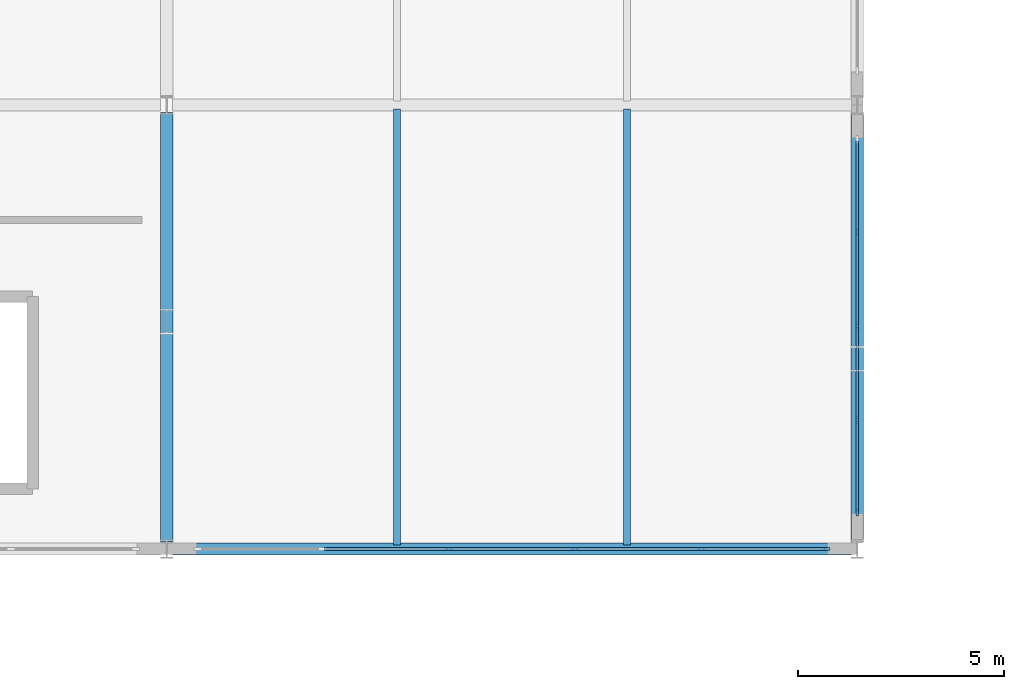
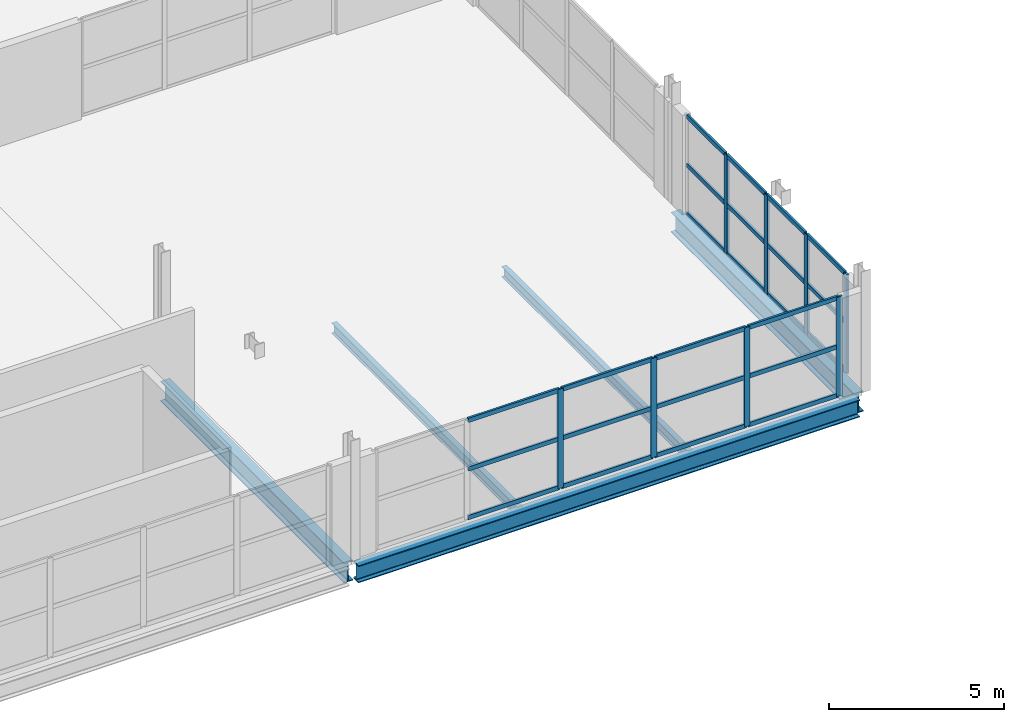
# One storey, part 9 of 39: 32 members, 5 beams, 2 elements without a shape of their own.
"""IFC4 building model written with IfcOpenShell, lengths in metres."""

from ifc_helpers import new_model, si_unit, direction, frame, origin, origin_2d, place, context, subcontext, project, spatial, rectangle, i_section, extrude, material, material_profile, profile_set, type_object, element, aggregate, save


model = new_model("IFC4")

# Units and contexts
model_context = context("Model", 3, precision=1e-05, world=origin(), true_north=direction((0.0, 1.0)))
body_context = subcontext(model_context, "Body", "Model", "MODEL_VIEW")
ifc_project = project(units=[si_unit("LENGTHUNIT", "METRE"), si_unit("AREAUNIT", "SQUARE_METRE"), si_unit("VOLUMEUNIT", "CUBIC_METRE"), si_unit("PLANEANGLEUNIT", "RADIAN"), si_unit("MASSUNIT", "GRAM", prefix="KILO")], contexts=[model_context])

# Site, building, storey
site_placement = place(None, origin())
site = spatial("IfcSite", under=ifc_project, at=site_placement, CompositionType="ELEMENT")
building_placement = place(site_placement, origin())
building = spatial("IfcBuilding", under=site, at=building_placement, Name="Kimbaza Rail Terminus", CompositionType="ELEMENT")
storey_placement = place(building_placement, frame((0.0, 0.0, 16.800048828125)))
storey = spatial("IfcBuildingStorey", under=building, at=storey_placement, Name="L03", CompositionType="ELEMENT", Elevation=16.800048828125)

# Curtain wall, members
ifc_material_1 = material(Name="Anodised aluminium framing and solar low-E glazing", Category="aluminium")
curtain_wall_type = type_object("IfcCurtainWallType", Name="ARC-CW-BRG", PredefinedType="USERDEFINED", material=ifc_material_1)
curtain_wall_1_placement = place(storey_placement, origin())
curtain_wall_1 = element("IfcCurtainWall", 1, at=curtain_wall_1_placement, inside=storey, type_object=curtain_wall_type, Name="Over-Track Footbridge E Panoramic Curtain Wall 1", ObjectType="UNITISED CURTAIN WALL", PredefinedType="USERDEFINED")
ifc_material_2 = material(Name="Anodised architectural aluminium", Category="aluminium")
ifc_material_profile_1 = material_profile(ifc_material_2, rectangle(XDim=0.068115234375, YDim=0.18994140625, at=origin_2d()), Name="MULLION 68x190")
ifc_profile_set_1 = profile_set([ifc_material_profile_1], Name="Anodised architectural aluminium")
member_type_1 = type_object("IfcMemberType", Name="ARC-CWM-03", PredefinedType="MULLION", material=ifc_profile_set_1)
member_1_placement = place(storey_placement, frame((156.0, 81.093994140625, 0.0), z_axis=(0.0, 0.0, 1.0), x_axis=(-1.0, 0.0, 0.0)))
member_1 = element("IfcMember", 2, at=member_1_placement, type_object=member_type_1, Name="CW-03 mullion 1", PredefinedType="MULLION", context=body_context, shape_type="SweptSolid", body=[
    extrude(rectangle(XDim=0.068115234375, YDim=0.18994140625, at=origin_2d()), origin(), (0.0, 0.0, 1.0), 3.449951171875),
])
member_2_placement = place(storey_placement, frame((156.0, 83.344970703125, 0.0), z_axis=(0.0, 0.0, 1.0), x_axis=(-1.0, 0.0, 0.0)))
member_2 = element("IfcMember", 3, at=member_2_placement, type_object=member_type_1, Name="CW-03 mullion 2", PredefinedType="MULLION", context=body_context, shape_type="SweptSolid", body=[
    extrude(rectangle(XDim=0.068115234375, YDim=0.18994140625, at=origin_2d()), origin(), (0.0, 0.0, 1.0), 3.449951171875),
])
member_3_placement = place(storey_placement, frame((156.0, 85.6298828125, 0.0), z_axis=(0.0, 0.0, 1.0), x_axis=(-1.0, 0.0, 0.0)))
member_3 = element("IfcMember", 4, at=member_3_placement, type_object=member_type_1, Name="CW-03 mullion 3", PredefinedType="MULLION", context=body_context, shape_type="SweptSolid", body=[
    extrude(rectangle(XDim=0.068115234375, YDim=0.18994140625, at=origin_2d()), origin(), (0.0, 0.0, 1.0), 3.449951171875),
])
member_4_placement = place(storey_placement, frame((156.0, 87.9150390625, 0.0), z_axis=(0.0, 0.0, 1.0), x_axis=(-1.0, 0.0, 0.0)))
member_4 = element("IfcMember", 5, at=member_4_placement, type_object=member_type_1, Name="CW-03 mullion 4", PredefinedType="MULLION", context=body_context, shape_type="SweptSolid", body=[
    extrude(rectangle(XDim=0.068115234375, YDim=0.18994140625, at=origin_2d()), origin(), (0.0, 0.0, 1.0), 3.449951171875),
])

curtain_wall_2_placement = place(storey_placement, origin())
curtain_wall_2 = element("IfcCurtainWall", 6, at=curtain_wall_2_placement, inside=storey, type_object=curtain_wall_type, Name="Over-Track Footbridge South Curtain Wall 5", ObjectType="UNITISED CURTAIN WALL", PredefinedType="USERDEFINED")
member_5_placement = place(storey_placement, frame((146.06396484375, 80.199951171875, 0.0), z_axis=(0.0, 0.0, 1.0), x_axis=(0.0, 1.0, 0.0)))
member_5 = element("IfcMember", 7, at=member_5_placement, type_object=member_type_1, Name="CW-03 mullion 3", PredefinedType="MULLION", context=body_context, shape_type="SweptSolid", body=[
    extrude(rectangle(XDim=0.068115234375, YDim=0.18994140625, at=origin_2d()), origin(), (0.0, 0.0, 1.0), 3.449951171875),
])
member_6_placement = place(storey_placement, frame((149.135986328125, 80.199951171875, 0.0), z_axis=(0.0, 0.0, 1.0), x_axis=(0.0, 1.0, 0.0)))
member_6 = element("IfcMember", 8, at=member_6_placement, type_object=member_type_1, Name="CW-03 mullion 4", PredefinedType="MULLION", context=body_context, shape_type="SweptSolid", body=[
    extrude(rectangle(XDim=0.068115234375, YDim=0.18994140625, at=origin_2d()), origin(), (0.0, 0.0, 1.0), 3.449951171875),
])
member_7_placement = place(storey_placement, frame((152.2080078125, 80.199951171875, 0.0), z_axis=(0.0, 0.0, 1.0), x_axis=(0.0, 1.0, 0.0)))
member_7 = element("IfcMember", 9, at=member_7_placement, type_object=member_type_1, Name="CW-03 mullion 5", PredefinedType="MULLION", context=body_context, shape_type="SweptSolid", body=[
    extrude(rectangle(XDim=0.068115234375, YDim=0.18994140625, at=origin_2d()), origin(), (0.0, 0.0, 1.0), 3.449951171875),
])
member_8_placement = place(storey_placement, frame((155.24609375, 80.199951171875, 0.0), z_axis=(0.0, 0.0, 1.0), x_axis=(0.0, 1.0, 0.0)))
member_8 = element("IfcMember", 10, at=member_8_placement, type_object=member_type_1, Name="CW-03 mullion 6", PredefinedType="MULLION", context=body_context, shape_type="SweptSolid", body=[
    extrude(rectangle(XDim=0.068115234375, YDim=0.18994140625, at=origin_2d()), origin(), (0.0, 0.0, 1.0), 3.449951171875),
])

# Member
ifc_material_3 = material(Name="Anodised architectural aluminium", Category="aluminium")
ifc_material_profile_2 = material_profile(ifc_material_3, rectangle(XDim=0.068115234375, YDim=0.14990234375, at=origin_2d()), Name="TRANSOM 68x150")
ifc_profile_set_2 = profile_set([ifc_material_profile_2], Name="Anodised architectural aluminium")
member_type_2 = type_object("IfcMemberType", Name="ARC-CWT-03", PredefinedType="USERDEFINED", material=ifc_profile_set_2)
member_9_placement = place(storey_placement, frame((156.0, 81.1279296875, 0.033935546875), z_axis=(0.0, 1.0, 0.0), x_axis=(-1.0, 0.0, 0.0)))
member_9 = element("IfcMember", 11, at=member_9_placement, type_object=member_type_2, Name="CW-03 transom 1.1", ObjectType="TRANSOM", PredefinedType="USERDEFINED", context=body_context, shape_type="SweptSolid", body=[
    extrude(rectangle(XDim=0.068115234375, YDim=0.14990234375, at=origin_2d()), origin(), (0.0, 0.0, 1.0), 2.18310546875),
])

member_10_placement = place(storey_placement, frame((156.0, 81.1279296875, 1.724853515625), z_axis=(0.0, 1.0, 0.0), x_axis=(-1.0, 0.0, 0.0)))
member_10 = element("IfcMember", 12, at=member_10_placement, type_object=member_type_2, Name="CW-03 transom 1.2", ObjectType="TRANSOM", PredefinedType="USERDEFINED", context=body_context, shape_type="SweptSolid", body=[
    extrude(rectangle(XDim=0.068115234375, YDim=0.14990234375, at=origin_2d()), origin(), (0.0, 0.0, 1.0), 2.18310546875),
])

member_11_placement = place(storey_placement, frame((156.0, 81.1279296875, 3.416015625), z_axis=(0.0, 1.0, 0.0), x_axis=(-1.0, 0.0, 0.0)))
member_11 = element("IfcMember", 13, at=member_11_placement, type_object=member_type_2, Name="CW-03 transom 1.3", ObjectType="TRANSOM", PredefinedType="USERDEFINED", context=body_context, shape_type="SweptSolid", body=[
    extrude(rectangle(XDim=0.068115234375, YDim=0.14990234375, at=origin_2d()), origin(), (0.0, 0.0, 1.0), 2.18310546875),
])

member_12_placement = place(storey_placement, frame((156.0, 83.37890625, 0.033935546875), z_axis=(0.0, 1.0, 0.0), x_axis=(-1.0, 0.0, 0.0)))
member_12 = element("IfcMember", 14, at=member_12_placement, type_object=member_type_2, Name="CW-03 transom 2.1", ObjectType="TRANSOM", PredefinedType="USERDEFINED", context=body_context, shape_type="SweptSolid", body=[
    extrude(rectangle(XDim=0.068115234375, YDim=0.14990234375, at=origin_2d()), origin(), (0.0, 0.0, 1.0), 2.217041015625),
])

member_13_placement = place(storey_placement, frame((156.0, 83.37890625, 1.724853515625), z_axis=(0.0, 1.0, 0.0), x_axis=(-1.0, 0.0, 0.0)))
member_13 = element("IfcMember", 15, at=member_13_placement, type_object=member_type_2, Name="CW-03 transom 2.2", ObjectType="TRANSOM", PredefinedType="USERDEFINED", context=body_context, shape_type="SweptSolid", body=[
    extrude(rectangle(XDim=0.068115234375, YDim=0.14990234375, at=origin_2d()), origin(), (0.0, 0.0, 1.0), 2.217041015625),
])

member_14_placement = place(storey_placement, frame((156.0, 83.37890625, 3.416015625), z_axis=(0.0, 1.0, 0.0), x_axis=(-1.0, 0.0, 0.0)))
member_14 = element("IfcMember", 16, at=member_14_placement, type_object=member_type_2, Name="CW-03 transom 2.3", ObjectType="TRANSOM", PredefinedType="USERDEFINED", context=body_context, shape_type="SweptSolid", body=[
    extrude(rectangle(XDim=0.068115234375, YDim=0.14990234375, at=origin_2d()), origin(), (0.0, 0.0, 1.0), 2.217041015625),
])

member_15_placement = place(storey_placement, frame((156.0, 85.6640625, 0.033935546875), z_axis=(0.0, 1.0, 0.0), x_axis=(-1.0, 0.0, 0.0)))
member_15 = element("IfcMember", 17, at=member_15_placement, type_object=member_type_2, Name="CW-03 transom 3.1", ObjectType="TRANSOM", PredefinedType="USERDEFINED", context=body_context, shape_type="SweptSolid", body=[
    extrude(rectangle(XDim=0.068115234375, YDim=0.14990234375, at=origin_2d()), origin(), (0.0, 0.0, 1.0), 2.217041015625),
])

member_16_placement = place(storey_placement, frame((156.0, 85.6640625, 1.724853515625), z_axis=(0.0, 1.0, 0.0), x_axis=(-1.0, 0.0, 0.0)))
member_16 = element("IfcMember", 18, at=member_16_placement, type_object=member_type_2, Name="CW-03 transom 3.2", ObjectType="TRANSOM", PredefinedType="USERDEFINED", context=body_context, shape_type="SweptSolid", body=[
    extrude(rectangle(XDim=0.068115234375, YDim=0.14990234375, at=origin_2d()), origin(), (0.0, 0.0, 1.0), 2.217041015625),
])

member_17_placement = place(storey_placement, frame((156.0, 85.6640625, 3.416015625), z_axis=(0.0, 1.0, 0.0), x_axis=(-1.0, 0.0, 0.0)))
member_17 = element("IfcMember", 19, at=member_17_placement, type_object=member_type_2, Name="CW-03 transom 3.3", ObjectType="TRANSOM", PredefinedType="USERDEFINED", context=body_context, shape_type="SweptSolid", body=[
    extrude(rectangle(XDim=0.068115234375, YDim=0.14990234375, at=origin_2d()), origin(), (0.0, 0.0, 1.0), 2.217041015625),
])

member_18_placement = place(storey_placement, frame((156.0, 87.948974609375, 0.033935546875), z_axis=(0.0, 1.0, 0.0), x_axis=(-1.0, 0.0, 0.0)))
member_18 = element("IfcMember", 20, at=member_18_placement, type_object=member_type_2, Name="CW-03 transom 4.1", ObjectType="TRANSOM", PredefinedType="USERDEFINED", context=body_context, shape_type="SweptSolid", body=[
    extrude(rectangle(XDim=0.068115234375, YDim=0.14990234375, at=origin_2d()), origin(), (0.0, 0.0, 1.0), 2.18310546875),
])

member_19_placement = place(storey_placement, frame((156.0, 87.948974609375, 1.724853515625), z_axis=(0.0, 1.0, 0.0), x_axis=(-1.0, 0.0, 0.0)))
member_19 = element("IfcMember", 21, at=member_19_placement, type_object=member_type_2, Name="CW-03 transom 4.2", ObjectType="TRANSOM", PredefinedType="USERDEFINED", context=body_context, shape_type="SweptSolid", body=[
    extrude(rectangle(XDim=0.068115234375, YDim=0.14990234375, at=origin_2d()), origin(), (0.0, 0.0, 1.0), 2.18310546875),
])

member_20_placement = place(storey_placement, frame((156.0, 87.948974609375, 3.416015625), z_axis=(0.0, 1.0, 0.0), x_axis=(-1.0, 0.0, 0.0)))
member_20 = element("IfcMember", 22, at=member_20_placement, type_object=member_type_2, Name="CW-03 transom 4.3", ObjectType="TRANSOM", PredefinedType="USERDEFINED", context=body_context, shape_type="SweptSolid", body=[
    extrude(rectangle(XDim=0.068115234375, YDim=0.14990234375, at=origin_2d()), origin(), (0.0, 0.0, 1.0), 2.18310546875),
])

aggregate(curtain_wall_1, [member_1, member_2, member_3, member_4, member_9, member_10, member_11, member_12, member_13, member_14, member_15, member_16, member_17, member_18, member_19, member_20])

member_21_placement = place(storey_placement, frame((143.02587890625, 80.199951171875, 0.033935546875), z_axis=(1.0, 0.0, 0.0), x_axis=(0.0, 1.0, 0.0)))
member_21 = element("IfcMember", 23, at=member_21_placement, type_object=member_type_2, Name="CW-03 transom 2.1", ObjectType="TRANSOM", PredefinedType="USERDEFINED", context=body_context, shape_type="SweptSolid", body=[
    extrude(rectangle(XDim=0.068115234375, YDim=0.14990234375, at=origin_2d()), origin(), (0.0, 0.0, 1.0), 3.004150390625),
])

member_22_placement = place(storey_placement, frame((143.02587890625, 80.199951171875, 1.724853515625), z_axis=(1.0, 0.0, 0.0), x_axis=(0.0, 1.0, 0.0)))
member_22 = element("IfcMember", 24, at=member_22_placement, type_object=member_type_2, Name="CW-03 transom 2.2", ObjectType="TRANSOM", PredefinedType="USERDEFINED", context=body_context, shape_type="SweptSolid", body=[
    extrude(rectangle(XDim=0.068115234375, YDim=0.14990234375, at=origin_2d()), origin(), (0.0, 0.0, 1.0), 3.004150390625),
])

member_23_placement = place(storey_placement, frame((143.02587890625, 80.199951171875, 3.416015625), z_axis=(1.0, 0.0, 0.0), x_axis=(0.0, 1.0, 0.0)))
member_23 = element("IfcMember", 25, at=member_23_placement, type_object=member_type_2, Name="CW-03 transom 2.3", ObjectType="TRANSOM", PredefinedType="USERDEFINED", context=body_context, shape_type="SweptSolid", body=[
    extrude(rectangle(XDim=0.068115234375, YDim=0.14990234375, at=origin_2d()), origin(), (0.0, 0.0, 1.0), 3.004150390625),
])

member_24_placement = place(storey_placement, frame((146.097900390625, 80.199951171875, 0.033935546875), z_axis=(1.0, 0.0, 0.0), x_axis=(0.0, 1.0, 0.0)))
member_24 = element("IfcMember", 26, at=member_24_placement, type_object=member_type_2, Name="CW-03 transom 3.1", ObjectType="TRANSOM", PredefinedType="USERDEFINED", context=body_context, shape_type="SweptSolid", body=[
    extrude(rectangle(XDim=0.068115234375, YDim=0.14990234375, at=origin_2d()), origin(), (0.0, 0.0, 1.0), 3.004150390625),
])

member_25_placement = place(storey_placement, frame((146.097900390625, 80.199951171875, 1.724853515625), z_axis=(1.0, 0.0, 0.0), x_axis=(0.0, 1.0, 0.0)))
member_25 = element("IfcMember", 27, at=member_25_placement, type_object=member_type_2, Name="CW-03 transom 3.2", ObjectType="TRANSOM", PredefinedType="USERDEFINED", context=body_context, shape_type="SweptSolid", body=[
    extrude(rectangle(XDim=0.068115234375, YDim=0.14990234375, at=origin_2d()), origin(), (0.0, 0.0, 1.0), 3.004150390625),
])

member_26_placement = place(storey_placement, frame((146.097900390625, 80.199951171875, 3.416015625), z_axis=(1.0, 0.0, 0.0), x_axis=(0.0, 1.0, 0.0)))
member_26 = element("IfcMember", 28, at=member_26_placement, type_object=member_type_2, Name="CW-03 transom 3.3", ObjectType="TRANSOM", PredefinedType="USERDEFINED", context=body_context, shape_type="SweptSolid", body=[
    extrude(rectangle(XDim=0.068115234375, YDim=0.14990234375, at=origin_2d()), origin(), (0.0, 0.0, 1.0), 3.004150390625),
])

member_27_placement = place(storey_placement, frame((149.169921875, 80.199951171875, 0.033935546875), z_axis=(1.0, 0.0, 0.0), x_axis=(0.0, 1.0, 0.0)))
member_27 = element("IfcMember", 29, at=member_27_placement, type_object=member_type_2, Name="CW-03 transom 4.1", ObjectType="TRANSOM", PredefinedType="USERDEFINED", context=body_context, shape_type="SweptSolid", body=[
    extrude(rectangle(XDim=0.068115234375, YDim=0.14990234375, at=origin_2d()), origin(), (0.0, 0.0, 1.0), 3.004150390625),
])

member_28_placement = place(storey_placement, frame((149.169921875, 80.199951171875, 1.724853515625), z_axis=(1.0, 0.0, 0.0), x_axis=(0.0, 1.0, 0.0)))
member_28 = element("IfcMember", 30, at=member_28_placement, type_object=member_type_2, Name="CW-03 transom 4.2", ObjectType="TRANSOM", PredefinedType="USERDEFINED", context=body_context, shape_type="SweptSolid", body=[
    extrude(rectangle(XDim=0.068115234375, YDim=0.14990234375, at=origin_2d()), origin(), (0.0, 0.0, 1.0), 3.004150390625),
])

member_29_placement = place(storey_placement, frame((149.169921875, 80.199951171875, 3.416015625), z_axis=(1.0, 0.0, 0.0), x_axis=(0.0, 1.0, 0.0)))
member_29 = element("IfcMember", 31, at=member_29_placement, type_object=member_type_2, Name="CW-03 transom 4.3", ObjectType="TRANSOM", PredefinedType="USERDEFINED", context=body_context, shape_type="SweptSolid", body=[
    extrude(rectangle(XDim=0.068115234375, YDim=0.14990234375, at=origin_2d()), origin(), (0.0, 0.0, 1.0), 3.004150390625),
])

member_30_placement = place(storey_placement, frame((152.241943359375, 80.199951171875, 0.033935546875), z_axis=(1.0, 0.0, 0.0), x_axis=(0.0, 1.0, 0.0)))
member_30 = element("IfcMember", 32, at=member_30_placement, type_object=member_type_2, Name="CW-03 transom 5.1", ObjectType="TRANSOM", PredefinedType="USERDEFINED", context=body_context, shape_type="SweptSolid", body=[
    extrude(rectangle(XDim=0.068115234375, YDim=0.14990234375, at=origin_2d()), origin(), (0.0, 0.0, 1.0), 2.969970703125),
])

member_31_placement = place(storey_placement, frame((152.241943359375, 80.199951171875, 1.724853515625), z_axis=(1.0, 0.0, 0.0), x_axis=(0.0, 1.0, 0.0)))
member_31 = element("IfcMember", 33, at=member_31_placement, type_object=member_type_2, Name="CW-03 transom 5.2", ObjectType="TRANSOM", PredefinedType="USERDEFINED", context=body_context, shape_type="SweptSolid", body=[
    extrude(rectangle(XDim=0.068115234375, YDim=0.14990234375, at=origin_2d()), origin(), (0.0, 0.0, 1.0), 2.969970703125),
])

member_32_placement = place(storey_placement, frame((152.241943359375, 80.199951171875, 3.416015625), z_axis=(1.0, 0.0, 0.0), x_axis=(0.0, 1.0, 0.0)))
member_32 = element("IfcMember", 34, at=member_32_placement, type_object=member_type_2, Name="CW-03 transom 5.3", ObjectType="TRANSOM", PredefinedType="USERDEFINED", context=body_context, shape_type="SweptSolid", body=[
    extrude(rectangle(XDim=0.068115234375, YDim=0.14990234375, at=origin_2d()), origin(), (0.0, 0.0, 1.0), 2.969970703125),
])

aggregate(curtain_wall_2, [member_5, member_6, member_7, member_8, member_21, member_22, member_23, member_24, member_25, member_26, member_27, member_28, member_29, member_30, member_31, member_32])

# Beams
ifc_material_4 = material(Name="Steel S355", Category="steel")
ifc_material_profile_3 = material_profile(ifc_material_4, i_section(OverallWidth=0.300048828125, OverallDepth=0.60009765625, WebThickness=0.015380859375, FlangeThickness=0.030029296875, FilletRadius=0.027099609375, at=origin_2d()), Name="HEB 600")
ifc_profile_set_3 = profile_set([ifc_material_profile_3], Name="Steel S355")
beam_type_1 = type_object("IfcBeamType", Name="STR-BM-HEB600", PredefinedType="BEAM", material=ifc_profile_set_3)
beam_placement = place(storey_placement, frame((139.345947265625, 80.199951171875, -0.580078125), z_axis=(1.0, 0.0, 0.0), x_axis=(0.0, 1.0, 0.0)))
element("IfcBeam", 35, at=beam_placement, inside=storey, type_object=beam_type_1, Name="Beam BM-BRGX-80-4", PredefinedType="BEAM", context=body_context, shape_type="SweptSolid", body=[
    extrude(i_section(OverallWidth=0.300048828125, OverallDepth=0.60009765625, WebThickness=0.015380859375, FlangeThickness=0.030029296875, FilletRadius=0.027099609375, at=origin_2d()), origin(), (0.0, 0.0, 1.0), 16.508056640625),
])
ifc_material_5 = material(Name="Steel S355", Category="steel")
ifc_material_profile_4 = material_profile(ifc_material_5, i_section(OverallWidth=0.300048828125, OverallDepth=0.699951171875, WebThickness=0.01708984375, FlangeThickness=0.031982421875, FilletRadius=0.027099609375, at=origin_2d()), Name="HEB 700")
ifc_profile_set_4 = profile_set([ifc_material_profile_4], Name="Steel S355")
beam_type_2 = type_object("IfcBeamType", Name="STR-BM-HEB700", PredefinedType="USERDEFINED", material=ifc_profile_set_4)
for number, where, z_axis, x_axis, name in (
    (36, (139.199951171875, 80.375, -0.630126953125), (0.0, 1.0, 0.0), (-1.0, 0.0, 0.0), "Beam BM-BRGY-139-80"),
    (37, (156.0, 80.375, -0.630126953125), (0.0, 1.0, 0.0), (-1.0, 0.0, 0.0), "Beam BM-BRGY-156-80"),
):
    element("IfcBeam", number, at=place(storey_placement, frame(where, z_axis=z_axis, x_axis=x_axis)), inside=storey, type_object=beam_type_2, Name=name, ObjectType="GIRDER", PredefinedType="USERDEFINED", context=body_context, shape_type="SweptSolid", body=[
        extrude(i_section(OverallWidth=0.300048828125, OverallDepth=0.699951171875, WebThickness=0.01708984375, FlangeThickness=0.031982421875, FilletRadius=0.027099609375, at=origin_2d()), origin(), (0.0, 0.0, 1.0), 10.449951171875),
    ])
ifc_material_6 = material(Name="Steel S355", Category="steel")
ifc_material_profile_5 = material_profile(ifc_material_6, i_section(OverallWidth=0.169921875, OverallDepth=0.360107421875, WebThickness=0.008056640625, FlangeThickness=0.0126953125, FilletRadius=0.01806640625, at=origin_2d()), Name="IPE 360")
ifc_profile_set_5 = profile_set([ifc_material_profile_5], Name="Steel S355")
beam_type_3 = type_object("IfcBeamType", Name="STR-BM-IPE360", PredefinedType="JOIST", material=ifc_profile_set_5)
for number, where, z_axis, x_axis, name in (
    (38, (144.800048828125, 80.300048828125, -0.4599609375), (0.0, 1.0, 0.0), (-1.0, 0.0, 0.0), "Beam JST-BRG-L03-4-1-80"),
    (39, (150.39990234375, 80.300048828125, -0.4599609375), (0.0, 1.0, 0.0), (-1.0, 0.0, 0.0), "Beam JST-BRG-L03-4-2-80"),
):
    element("IfcBeam", number, at=place(storey_placement, frame(where, z_axis=z_axis, x_axis=x_axis)), inside=storey, type_object=beam_type_3, Name=name, PredefinedType="JOIST", context=body_context, shape_type="SweptSolid", body=[
        extrude(i_section(OverallWidth=0.169921875, OverallDepth=0.360107421875, WebThickness=0.008056640625, FlangeThickness=0.0126953125, FilletRadius=0.01806640625, at=origin_2d()), origin(), (0.0, 0.0, 1.0), 10.599853515625),
    ])

save(model, "model.ifc")
